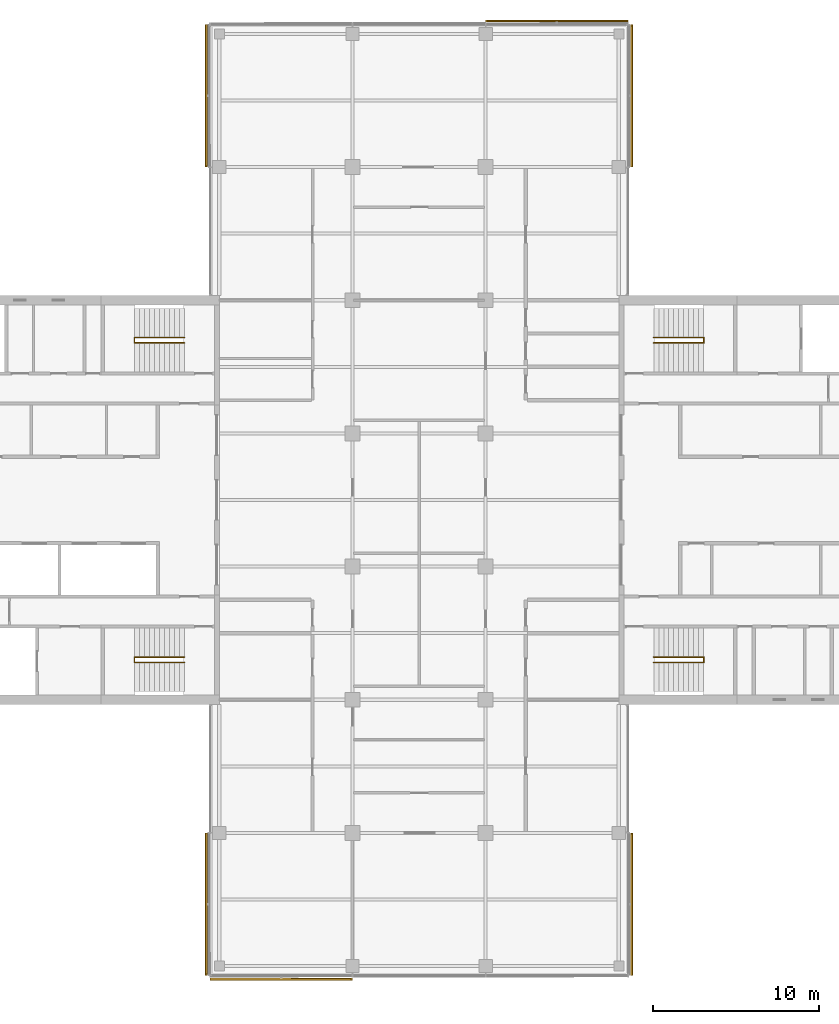
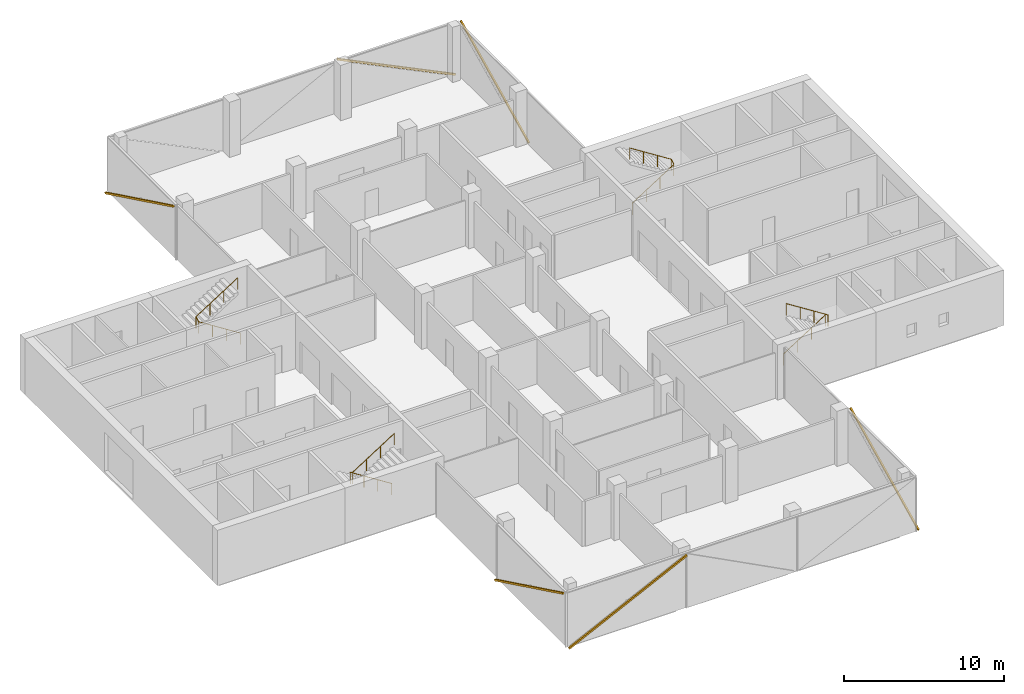
# One storey, part 16 of 16: 6 shading devices, 4 railings, 6 elements without a shape of their own.
"""IFC4 building model written with IfcOpenShell, lengths in metres."""

from ifc_helpers import new_model, si_unit, direction, frame, origin, origin_2d, place, context, subcontext, project, spatial, rectangle, circle, extrude, material, material_profile, profile_set, type_object, element, aggregate, save


model = new_model("IFC4")

# Units and contexts
model_context = context("Model", 3, precision=1e-05, world=origin(), true_north=direction((0.0, 1.0)))
body_context = subcontext(model_context, "Body", "Model", "MODEL_VIEW")
ifc_project = project(units=[si_unit("LENGTHUNIT", "METRE"), si_unit("AREAUNIT", "SQUARE_METRE"), si_unit("VOLUMEUNIT", "CUBIC_METRE"), si_unit("PLANEANGLEUNIT", "RADIAN"), si_unit("MASSUNIT", "GRAM", prefix="KILO")], contexts=[model_context])

# Site, building, storey
site_placement = place(None, origin())
site = spatial("IfcSite", under=ifc_project, at=site_placement, CompositionType="ELEMENT")
building_placement = place(site_placement, origin())
building = spatial("IfcBuilding", under=site, at=building_placement, Name="Crosswind Convention Tower", CompositionType="ELEMENT")
storey_placement = place(building_placement, frame((0.0, 0.0, 212.5)))
storey = spatial("IfcBuildingStorey", under=building, at=storey_placement, Name="L45", CompositionType="ELEMENT", Elevation=212.5)

# Railings
ifc_material_1 = material(Name="Stainless steel", Category="steel")
railing_type = type_object("IfcRailingType", Name="Stair handrail 900", PredefinedType="HANDRAIL", material=ifc_material_1)
railing_1_placement = place(storey_placement, frame((139.10009765625, 109.43994140625, 0.19091796875)))
element("IfcRailing", 1, at=railing_1_placement, inside=storey, type_object=railing_type, Name="Stair ST1 handrail L45", PredefinedType="HANDRAIL", context=body_context, shape_type="SweptSolid", body=[
    extrude(circle(Radius=0.02392578125, at=origin_2d()), frame((0.0, 0.0, 0.8759765625), z_axis=(0.843650179428, 0.0, 0.536893261973), x_axis=(0.0, 1.0, 0.0)), (0.0, 0.0, 1.0), 3.555908203125),
    extrude(circle(Radius=0.02392578125, at=origin_2d()), frame((3.0, 0.0, 2.78515625), z_axis=(0.0, 0.858819504967, 0.512278301208), x_axis=(-1.0, 0.0, 0.0)), (0.0, 0.0, 1.0), 0.372802734375),
    extrude(circle(Radius=0.02392578125, at=origin_2d()), frame((3.0, 0.320068359375, 2.97607421875), z_axis=(-0.843681277094, 0.0, 0.536844393359), x_axis=(0.0, -1.0, 0.0)), (0.0, 0.0, 1.0), 3.555908203125),
    extrude(circle(Radius=0.02099609375, at=origin_2d()), origin(), (0.0, 0.0, 1.0), 0.851806640625),
    extrude(circle(Radius=0.02099609375, at=origin_2d()), frame((1.0, 0.0, 0.636474609375)), (0.0, 0.0, 1.0), 0.851806640625),
    extrude(circle(Radius=0.02099609375, at=origin_2d()), frame((2.0, 0.0, 1.272705078125)), (0.0, 0.0, 1.0), 0.851806640625),
    extrude(circle(Radius=0.02099609375, at=origin_2d()), frame((3.0, 0.0, 1.9091796875)), (0.0, 0.0, 1.0), 0.851806640625),
    extrude(circle(Radius=0.02099609375, at=origin_2d()), frame((3.0, 0.320068359375, 2.10009765625)), (0.0, 0.0, 1.0), 0.851806640625),
    extrude(circle(Radius=0.02099609375, at=origin_2d()), frame((2.0, 0.320068359375, 2.736328125)), (0.0, 0.0, 1.0), 0.851806640625),
    extrude(circle(Radius=0.02099609375, at=origin_2d()), frame((1.0, 0.320068359375, 3.372802734375)), (0.0, 0.0, 1.0), 0.851806640625),
    extrude(circle(Radius=0.02099609375, at=origin_2d()), frame((0.0, 0.320068359375, 4.009033203125)), (0.0, 0.0, 1.0), 0.851806640625),
])
railing_2_placement = place(storey_placement, frame((139.10009765625, 90.56005859375, 0.19091796875)))
element("IfcRailing", 2, at=railing_2_placement, inside=storey, type_object=railing_type, Name="Stair ST2 handrail L45", PredefinedType="HANDRAIL", context=body_context, shape_type="SweptSolid", body=[
    extrude(circle(Radius=0.02392578125, at=origin_2d()), frame((0.0, 0.0, 0.8759765625), z_axis=(0.843650179428, 0.0, 0.536893261973), x_axis=(0.0, 1.0, 0.0)), (0.0, 0.0, 1.0), 3.555908203125),
    extrude(circle(Radius=0.02392578125, at=origin_2d()), frame((3.0, 0.0, 2.78515625), z_axis=(0.0, -0.858819504967, 0.512278301208), x_axis=(1.0, 0.0, 0.0)), (0.0, 0.0, 1.0), 0.372802734375),
    extrude(circle(Radius=0.02392578125, at=origin_2d()), frame((3.0, -0.320068359375, 2.97607421875), z_axis=(-0.843681277094, 0.0, 0.536844393359), x_axis=(0.0, -1.0, 0.0)), (0.0, 0.0, 1.0), 3.555908203125),
    extrude(circle(Radius=0.02099609375, at=origin_2d()), origin(), (0.0, 0.0, 1.0), 0.851806640625),
    extrude(circle(Radius=0.02099609375, at=origin_2d()), frame((1.0, 0.0, 0.636474609375)), (0.0, 0.0, 1.0), 0.851806640625),
    extrude(circle(Radius=0.02099609375, at=origin_2d()), frame((2.0, 0.0, 1.272705078125)), (0.0, 0.0, 1.0), 0.851806640625),
    extrude(circle(Radius=0.02099609375, at=origin_2d()), frame((3.0, 0.0, 1.9091796875)), (0.0, 0.0, 1.0), 0.851806640625),
    extrude(circle(Radius=0.02099609375, at=origin_2d()), frame((3.0, -0.320068359375, 2.10009765625)), (0.0, 0.0, 1.0), 0.851806640625),
    extrude(circle(Radius=0.02099609375, at=origin_2d()), frame((2.0, -0.320068359375, 2.736328125)), (0.0, 0.0, 1.0), 0.851806640625),
    extrude(circle(Radius=0.02099609375, at=origin_2d()), frame((1.0, -0.320068359375, 3.372802734375)), (0.0, 0.0, 1.0), 0.851806640625),
    extrude(circle(Radius=0.02099609375, at=origin_2d()), frame((0.0, -0.320068359375, 4.009033203125)), (0.0, 0.0, 1.0), 0.851806640625),
])
railing_3_placement = place(storey_placement, frame((110.89990234375, 90.56005859375, 0.19091796875)))
element("IfcRailing", 3, at=railing_3_placement, inside=storey, type_object=railing_type, Name="Stair ST3 handrail L45", PredefinedType="HANDRAIL", context=body_context, shape_type="SweptSolid", body=[
    extrude(circle(Radius=0.02392578125, at=origin_2d()), frame((0.0, 0.0, 0.8759765625), z_axis=(-0.843650179428, 0.0, 0.536893261973), x_axis=(0.0, -1.0, 0.0)), (0.0, 0.0, 1.0), 3.555908203125),
    extrude(circle(Radius=0.02392578125, at=origin_2d()), frame((-3.0, 0.0, 2.78515625), z_axis=(0.0, -0.858819504967, 0.512278301208), x_axis=(1.0, 0.0, 0.0)), (0.0, 0.0, 1.0), 0.372802734375),
    extrude(circle(Radius=0.02392578125, at=origin_2d()), frame((-3.0, -0.320068359375, 2.97607421875), z_axis=(0.843681277094, 0.0, 0.536844393359), x_axis=(0.0, 1.0, 0.0)), (0.0, 0.0, 1.0), 3.555908203125),
    extrude(circle(Radius=0.02099609375, at=origin_2d()), origin(), (0.0, 0.0, 1.0), 0.851806640625),
    extrude(circle(Radius=0.02099609375, at=origin_2d()), frame((-1.0, 0.0, 0.636474609375)), (0.0, 0.0, 1.0), 0.851806640625),
    extrude(circle(Radius=0.02099609375, at=origin_2d()), frame((-2.0, 0.0, 1.272705078125)), (0.0, 0.0, 1.0), 0.851806640625),
    extrude(circle(Radius=0.02099609375, at=origin_2d()), frame((-3.0, 0.0, 1.9091796875)), (0.0, 0.0, 1.0), 0.851806640625),
    extrude(circle(Radius=0.02099609375, at=origin_2d()), frame((-3.0, -0.320068359375, 2.10009765625)), (0.0, 0.0, 1.0), 0.851806640625),
    extrude(circle(Radius=0.02099609375, at=origin_2d()), frame((-2.0, -0.320068359375, 2.736328125)), (0.0, 0.0, 1.0), 0.851806640625),
    extrude(circle(Radius=0.02099609375, at=origin_2d()), frame((-1.0, -0.320068359375, 3.372802734375)), (0.0, 0.0, 1.0), 0.851806640625),
    extrude(circle(Radius=0.02099609375, at=origin_2d()), frame((0.0, -0.320068359375, 4.009033203125)), (0.0, 0.0, 1.0), 0.851806640625),
])
railing_4_placement = place(storey_placement, frame((110.89990234375, 109.43994140625, 0.19091796875)))
element("IfcRailing", 4, at=railing_4_placement, inside=storey, type_object=railing_type, Name="Stair ST4 handrail L45", PredefinedType="HANDRAIL", context=body_context, shape_type="SweptSolid", body=[
    extrude(circle(Radius=0.02392578125, at=origin_2d()), frame((0.0, 0.0, 0.8759765625), z_axis=(-0.843650179428, 0.0, 0.536893261973), x_axis=(0.0, -1.0, 0.0)), (0.0, 0.0, 1.0), 3.555908203125),
    extrude(circle(Radius=0.02392578125, at=origin_2d()), frame((-3.0, 0.0, 2.78515625), z_axis=(0.0, 0.858819504967, 0.512278301208), x_axis=(-1.0, 0.0, 0.0)), (0.0, 0.0, 1.0), 0.372802734375),
    extrude(circle(Radius=0.02392578125, at=origin_2d()), frame((-3.0, 0.320068359375, 2.97607421875), z_axis=(0.843681277094, 0.0, 0.536844393359), x_axis=(0.0, 1.0, 0.0)), (0.0, 0.0, 1.0), 3.555908203125),
    extrude(circle(Radius=0.02099609375, at=origin_2d()), origin(), (0.0, 0.0, 1.0), 0.851806640625),
    extrude(circle(Radius=0.02099609375, at=origin_2d()), frame((-1.0, 0.0, 0.636474609375)), (0.0, 0.0, 1.0), 0.851806640625),
    extrude(circle(Radius=0.02099609375, at=origin_2d()), frame((-2.0, 0.0, 1.272705078125)), (0.0, 0.0, 1.0), 0.851806640625),
    extrude(circle(Radius=0.02099609375, at=origin_2d()), frame((-3.0, 0.0, 1.9091796875)), (0.0, 0.0, 1.0), 0.851806640625),
    extrude(circle(Radius=0.02099609375, at=origin_2d()), frame((-3.0, 0.320068359375, 2.10009765625)), (0.0, 0.0, 1.0), 0.851806640625),
    extrude(circle(Radius=0.02099609375, at=origin_2d()), frame((-2.0, 0.320068359375, 2.736328125)), (0.0, 0.0, 1.0), 0.851806640625),
    extrude(circle(Radius=0.02099609375, at=origin_2d()), frame((-1.0, 0.320068359375, 3.372802734375)), (0.0, 0.0, 1.0), 0.851806640625),
    extrude(circle(Radius=0.02099609375, at=origin_2d()), frame((0.0, 0.320068359375, 4.009033203125)), (0.0, 0.0, 1.0), 0.851806640625),
])

# Curtain wall, shading device
ifc_material_2 = material(Name="Aluminium unitised curtain wall", Category="aluminium")
curtain_wall_type = type_object("IfcCurtainWallType", Name="OFFICE UNITISED WALL 220", PredefinedType="USERDEFINED", material=ifc_material_2)
curtain_wall_1_placement = place(storey_placement, origin())
curtain_wall_1 = element("IfcCurtainWall", 5, at=curtain_wall_1_placement, inside=storey, type_object=curtain_wall_type, Name="CW3 L45 N-E 1", ObjectType="UNITISED", PredefinedType="USERDEFINED")
ifc_material_3 = material(Name="Extruded terracotta", Category="masonry")
ifc_material_profile = material_profile(ifc_material_3, rectangle(XDim=0.110107421875, YDim=0.1298828125, at=origin_2d()), Name="TC 110X130")
ifc_profile_set = profile_set([ifc_material_profile], Name="Extruded terracotta")
shading_device_type = type_object("IfcShadingDeviceType", Name="TERRACOTTA BAGUETTE 130X110", PredefinedType="USERDEFINED", material=ifc_profile_set)
shading_device_1_placement = place(storey_placement, frame((137.781005859375, 120.034912109375, -0.300048828125), z_axis=(0.0, 0.899240862228, 0.437453850936), x_axis=(-1.0, 0.0, 0.0)))
shading_device_1 = element("IfcShadingDevice", 6, at=shading_device_1_placement, type_object=shading_device_type, Name="CW3 terracotta baguette 1", ObjectType="BAGUETTE", PredefinedType="USERDEFINED", context=body_context, shape_type="SweptSolid", body=[
    extrude(rectangle(XDim=0.110107421875, YDim=0.1298828125, at=origin_2d()), origin(), (0.0, 0.0, 1.0), 9.44140625),
])
aggregate(curtain_wall_1, [shading_device_1])

curtain_wall_2_placement = place(storey_placement, origin())
curtain_wall_2 = element("IfcCurtainWall", 7, at=curtain_wall_2_placement, inside=storey, type_object=curtain_wall_type, Name="CW3 L45 N-TIP 1", ObjectType="UNITISED", PredefinedType="USERDEFINED")
shading_device_2_placement = place(storey_placement, frame((137.52490234375, 128.781005859375, -0.300048828125), z_axis=(-0.899240862228, 0.0, 0.437453850936), x_axis=(0.0, -1.0, 0.0)))
shading_device_2 = element("IfcShadingDevice", 8, at=shading_device_2_placement, type_object=shading_device_type, Name="CW3 terracotta baguette 1", ObjectType="BAGUETTE", PredefinedType="USERDEFINED", context=body_context, shape_type="SweptSolid", body=[
    extrude(rectangle(XDim=0.110107421875, YDim=0.1298828125, at=origin_2d()), origin(), (0.0, 0.0, 1.0), 9.44140625),
])
aggregate(curtain_wall_2, [shading_device_2])

curtain_wall_3_placement = place(storey_placement, origin())
curtain_wall_3 = element("IfcCurtainWall", 9, at=curtain_wall_3_placement, inside=storey, type_object=curtain_wall_type, Name="CW3 L45 N-W 1", ObjectType="UNITISED", PredefinedType="USERDEFINED")
shading_device_3_placement = place(storey_placement, frame((112.218994140625, 128.52490234375, -0.300048828125), z_axis=(0.0, -0.899240862228, 0.437453850936), x_axis=(1.0, 0.0, 0.0)))
shading_device_3 = element("IfcShadingDevice", 10, at=shading_device_3_placement, type_object=shading_device_type, Name="CW3 terracotta baguette 1", ObjectType="BAGUETTE", PredefinedType="USERDEFINED", context=body_context, shape_type="SweptSolid", body=[
    extrude(rectangle(XDim=0.110107421875, YDim=0.1298828125, at=origin_2d()), origin(), (0.0, 0.0, 1.0), 9.44140625),
])
aggregate(curtain_wall_3, [shading_device_3])

curtain_wall_4_placement = place(storey_placement, origin())
curtain_wall_4 = element("IfcCurtainWall", 11, at=curtain_wall_4_placement, inside=storey, type_object=curtain_wall_type, Name="CW3 L45 S-W 1", ObjectType="UNITISED", PredefinedType="USERDEFINED")
shading_device_4_placement = place(storey_placement, frame((112.218994140625, 79.965087890625, -0.300048828125), z_axis=(0.0, -0.899240862228, 0.437453850936), x_axis=(1.0, 0.0, 0.0)))
shading_device_4 = element("IfcShadingDevice", 12, at=shading_device_4_placement, type_object=shading_device_type, Name="CW3 terracotta baguette 1", ObjectType="BAGUETTE", PredefinedType="USERDEFINED", context=body_context, shape_type="SweptSolid", body=[
    extrude(rectangle(XDim=0.110107421875, YDim=0.1298828125, at=origin_2d()), origin(), (0.0, 0.0, 1.0), 9.44140625),
])
aggregate(curtain_wall_4, [shading_device_4])

curtain_wall_5_placement = place(storey_placement, origin())
curtain_wall_5 = element("IfcCurtainWall", 13, at=curtain_wall_5_placement, inside=storey, type_object=curtain_wall_type, Name="CW3 L45 S-TIP 1", ObjectType="UNITISED", PredefinedType="USERDEFINED")
shading_device_5_placement = place(storey_placement, frame((112.47509765625, 71.218994140625, -0.300048828125), z_axis=(0.899240862228, 0.0, 0.437453850936), x_axis=(0.0, 1.0, 0.0)))
shading_device_5 = element("IfcShadingDevice", 14, at=shading_device_5_placement, type_object=shading_device_type, Name="CW3 terracotta baguette 1", ObjectType="BAGUETTE", PredefinedType="USERDEFINED", context=body_context, shape_type="SweptSolid", body=[
    extrude(rectangle(XDim=0.110107421875, YDim=0.1298828125, at=origin_2d()), origin(), (0.0, 0.0, 1.0), 9.44140625),
])
aggregate(curtain_wall_5, [shading_device_5])

curtain_wall_6_placement = place(storey_placement, origin())
curtain_wall_6 = element("IfcCurtainWall", 15, at=curtain_wall_6_placement, inside=storey, type_object=curtain_wall_type, Name="CW3 L45 S-E 1", ObjectType="UNITISED", PredefinedType="USERDEFINED")
shading_device_6_placement = place(storey_placement, frame((137.781005859375, 71.47509765625, -0.300048828125), z_axis=(0.0, 0.899240862228, 0.437453850936), x_axis=(-1.0, 0.0, 0.0)))
shading_device_6 = element("IfcShadingDevice", 16, at=shading_device_6_placement, type_object=shading_device_type, Name="CW3 terracotta baguette 1", ObjectType="BAGUETTE", PredefinedType="USERDEFINED", context=body_context, shape_type="SweptSolid", body=[
    extrude(rectangle(XDim=0.110107421875, YDim=0.1298828125, at=origin_2d()), origin(), (0.0, 0.0, 1.0), 9.44140625),
])
aggregate(curtain_wall_6, [shading_device_6])

save(model, "model.ifc")
